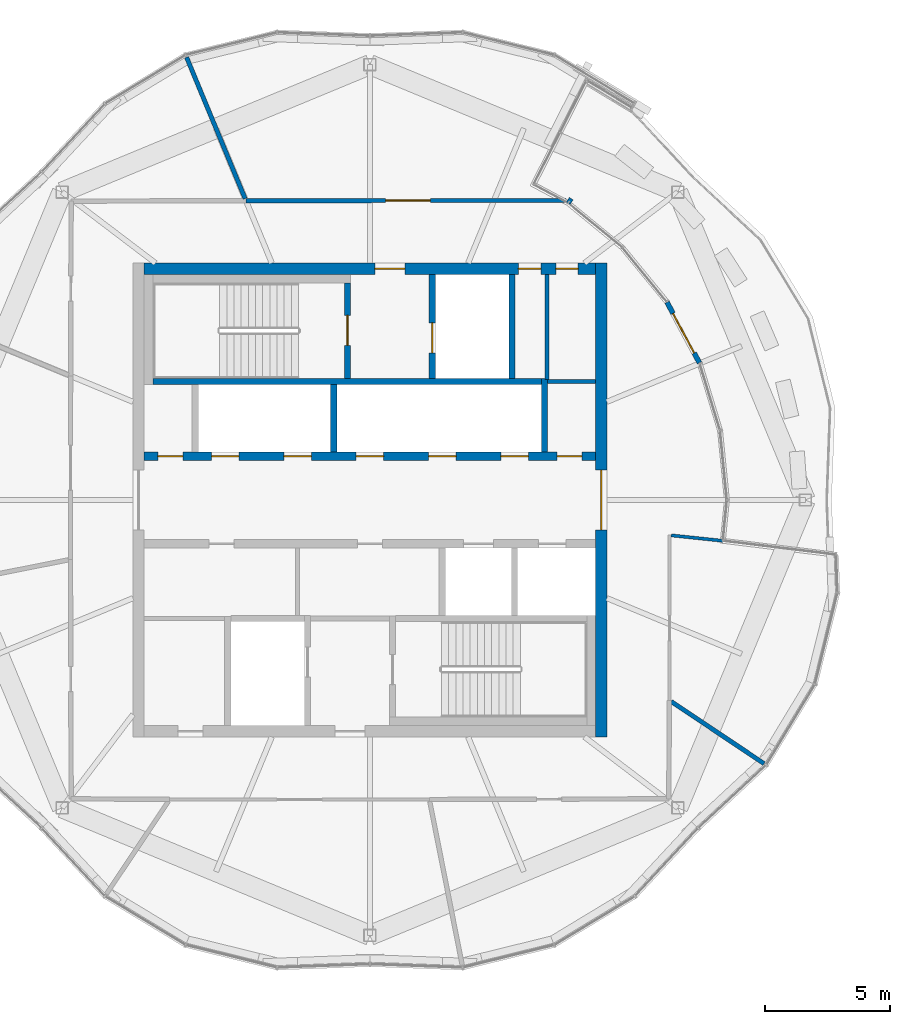
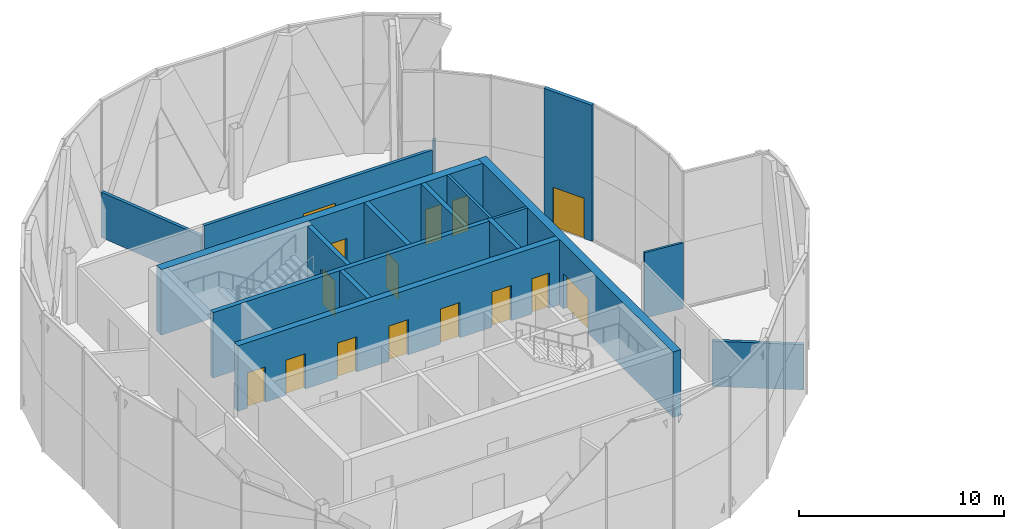
# One storey, part 17 of 24: 17 walls, 15 doors, 15 openings.
"""IFC4 building model written with IfcOpenShell, lengths in metres."""

from ifc_helpers import new_model, si_unit, direction, frame, frame_2d, origin, place, context, subcontext, project, spatial, rectangle, extrude, material, layer, layer_set, type_object, element, fill, save


model = new_model("IFC4")

# Units and contexts
model_context = context("Model", 3, precision=1e-05, world=origin(), true_north=direction((0.0, 1.0)))
body_context = subcontext(model_context, "Body", "Model", "MODEL_VIEW")
ifc_project = project(units=[si_unit("LENGTHUNIT", "METRE"), si_unit("AREAUNIT", "SQUARE_METRE"), si_unit("VOLUMEUNIT", "CUBIC_METRE"), si_unit("PLANEANGLEUNIT", "RADIAN"), si_unit("MASSUNIT", "GRAM", prefix="KILO")], contexts=[model_context])

# Site, building, storey
site_placement = place(None, origin())
site = spatial("IfcSite", under=ifc_project, at=site_placement, CompositionType="ELEMENT")
building_placement = place(site_placement, origin())
building = spatial("IfcBuilding", under=site, at=building_placement, Name="Ogive Gate Towers", CompositionType="ELEMENT")
storey_placement = place(building_placement, frame((0.0, 0.0, 277.199951171875)))
storey = spatial("IfcBuildingStorey", under=building, at=storey_placement, Name="L65", CompositionType="ELEMENT", Elevation=277.199951171875)

# Walls
ifc_material_1 = material(Name="Gypsum board acoustic partition")
ifc_layer_1 = layer(ifc_material_1, 0.175048828125)
ifc_layer_set_1 = layer_set([ifc_layer_1], Name="Acoustic partition 175")
wall_type_1 = type_object("IfcWallType", Name="Acoustic partition 175", PredefinedType="PARTITIONING", material=ifc_layer_set_1)
wall_1_placement = place(storey_placement, frame((-28.049560546875, 11.898681640625, 0.0), z_axis=(0.0, 0.0, 1.0), x_axis=(0.542178111101, 0.840263587122, 0.0)))
element("IfcWall", 1, at=wall_1_placement, inside=storey, type_object=wall_type_1, Name="Partition T1-L65-001", PredefinedType="PARTITIONING", context=body_context, shape_type="SweptSolid", body=[
    extrude(rectangle(XDim=0.217041015625, YDim=0.175048828125, at=frame_2d((0.1083984375, 0.0))), origin(), (0.0, 0.0, 1.0), 3.900146484375),
])
wall_2_placement = place(storey_placement, frame((-43.351318359375, 17.747802734375, 0.0), z_axis=(0.0, 0.0, 1.0), x_axis=(0.382683524544, -0.923879494329, 0.0)))
element("IfcWall", 2, at=wall_2_placement, inside=storey, type_object=wall_type_1, Name="Partition T1-L65-002", PredefinedType="PARTITIONING", context=body_context, shape_type="SweptSolid", body=[
    extrude(rectangle(XDim=6.131591796875, YDim=0.175048828125, at=frame_2d((3.06591796875, 0.0))), origin(), (0.0, 0.0, 1.0), 2.699951171875),
])
wall_3_placement = place(storey_placement, frame((-20.199462890625, -10.56884765625, 0.0), z_axis=(0.0, 0.0, 1.0), x_axis=(-0.831202788563, 0.555969355527, 0.0)))
element("IfcWall", 3, at=wall_3_placement, inside=storey, type_object=wall_type_1, Name="Partition T1-L65-007", PredefinedType="PARTITIONING", context=body_context, shape_type="SweptSolid", body=[
    extrude(rectangle(XDim=4.481201171875, YDim=0.175048828125, at=frame_2d((2.24072265625, 0.0))), origin(), (0.0, 0.0, 1.0), 2.699951171875),
])

# Wall, opening, door
wall_4_placement = place(storey_placement, frame((-40.971435546875, 12.002197265625, 0.0), z_axis=(0.0, 0.0, 1.0), x_axis=(0.999999886992, 0.000475411653, 0.0)))
wall_4 = element("IfcWall", 4, at=wall_4_placement, inside=storey, type_object=wall_type_1, Name="Partition T1-L65-018", PredefinedType="PARTITIONING", context=body_context, shape_type="SweptSolid", body=[
    extrude(rectangle(XDim=12.83837890625, YDim=0.175048828125, at=frame_2d((6.419189453125, 0.0))), origin(), (0.0, 0.0, 1.0), 3.35009765625),
])
opening_1_placement = place(wall_4_placement, frame((5.595947265625, 0.0, 0.0)))
opening_1 = element("IfcOpeningElement", 5, at=opening_1_placement, cuts=wall_4, Name="Opening T1-L65-D07", PredefinedType="OPENING", context=body_context, shape_type="SweptSolid", body=[
    extrude(rectangle(XDim=1.800048828125, YDim=2.10009765625, at=frame_2d((0.89990234375, 1.050048828125))), frame((0.0, 0.09765625, 0.0), z_axis=(0.0, -1.0, 0.0), x_axis=(1.0, 0.0, 0.0)), (0.0, 0.0, 1.0), 0.195068359375),
])
ifc_material_2 = material(Name="Timber door", Category="wood")
door_type_1 = type_object("IfcDoorType", Name="Door pair 1800", OperationType="NOTDEFINED", PredefinedType="DOOR", material=ifc_material_2)
door_1_placement = place(opening_1_placement, origin())
door_1 = element("IfcDoor", 6, at=door_1_placement, inside=storey, type_object=door_type_1, Name="Door T1-L65-D07", OperationType="DOUBLE_DOOR_DOUBLE_SWING", OverallHeight=2.10009765625, OverallWidth=1.800048828125, PredefinedType="DOOR", context=body_context, shape_type="SweptSolid", body=[
    extrude(rectangle(XDim=1.800048828125, YDim=2.10009765625, at=frame_2d((0.89990234375, 1.050048828125))), frame((0.0, 0.02490234375, 0.0), z_axis=(0.0, -1.0, 0.0), x_axis=(1.0, 0.0, 0.0)), (0.0, 0.0, 1.0), 0.050048828125),
])
fill(opening_1, door_1)

# Wall, openings, doors
ifc_material_3 = material(Name="Concrete C60/75", Category="concrete")
ifc_layer_2 = layer(ifc_material_3, 0.449951171875)
ifc_layer_set_2 = layer_set([ifc_layer_2], Name="Core wall 450 mm")
wall_type_2 = type_object("IfcWallType", Name="Core wall 450 mm", PredefinedType="SHEAR", material=ifc_layer_set_2)
wall_5_placement = place(storey_placement, frame((-45.050048828125, 9.27490234375, 0.0), z_axis=(0.0, 0.0, 1.0), x_axis=(1.0, 0.0, 0.0)))
wall_5 = element("IfcWall", 7, at=wall_5_placement, inside=storey, type_object=wall_type_2, Name="T1 L65 Core wall 450 mm", PredefinedType="SHEAR", context=body_context, shape_type="SweptSolid", body=[
    extrude(rectangle(XDim=18.10009765625, YDim=0.449951171875, at=frame_2d((9.050048828125, 0.0))), origin(), (0.0, 0.0, 1.0), 3.900146484375),
])
opening_2_placement = place(wall_5_placement, frame((9.25, 0.0, 0.0)))
opening_2 = element("IfcOpeningElement", 8, at=opening_2_placement, cuts=wall_5, Name="Opening KD-T1-L65-18", PredefinedType="OPENING", context=body_context, shape_type="SweptSolid", body=[
    extrude(rectangle(XDim=1.199951171875, YDim=2.10009765625, at=frame_2d((0.60009765625, 1.050048828125))), frame((0.0, 0.23486328125, 0.0), z_axis=(0.0, -1.0, 0.0), x_axis=(1.0, 0.0, 0.0)), (0.0, 0.0, 1.0), 0.469970703125),
])
opening_3_placement = place(wall_5_placement, frame((15.0, 0.0, 0.0)))
opening_3 = element("IfcOpeningElement", 9, at=opening_3_placement, cuts=wall_5, Name="Opening KD-T1-L65-20", PredefinedType="OPENING", context=body_context, shape_type="SweptSolid", body=[
    extrude(rectangle(XDim=0.89990234375, YDim=2.10009765625, at=frame_2d((0.449951171875, 1.050048828125))), frame((0.0, 0.23486328125, 0.0), z_axis=(0.0, -1.0, 0.0), x_axis=(1.0, 0.0, 0.0)), (0.0, 0.0, 1.0), 0.469970703125),
])
opening_4_placement = place(wall_5_placement, frame((16.5, 0.0, 0.0)))
opening_4 = element("IfcOpeningElement", 10, at=opening_4_placement, cuts=wall_5, Name="Opening KD-T1-L65-21", PredefinedType="OPENING", context=body_context, shape_type="SweptSolid", body=[
    extrude(rectangle(XDim=0.89990234375, YDim=2.10009765625, at=frame_2d((0.449951171875, 1.050048828125))), frame((0.0, 0.23486328125, 0.0), z_axis=(0.0, -1.0, 0.0), x_axis=(1.0, 0.0, 0.0)), (0.0, 0.0, 1.0), 0.469970703125),
])
door_type_2 = type_object("IfcDoorType", Name="Core WC door 900 x 2100", OperationType="NOTDEFINED", PredefinedType="DOOR", material=ifc_material_2)
door_2_placement = place(opening_3_placement, origin())
door_2 = element("IfcDoor", 11, at=door_2_placement, inside=storey, type_object=door_type_2, Name="T1 L65 Core door", OperationType="SINGLE_SWING_LEFT", OverallHeight=2.10009765625, OverallWidth=0.89990234375, PredefinedType="DOOR", context=body_context, shape_type="SweptSolid", body=[
    extrude(rectangle(XDim=0.89990234375, YDim=2.10009765625, at=frame_2d((0.449951171875, 1.050048828125))), frame((0.0, 0.02490234375, 0.0), z_axis=(0.0, -1.0, 0.0), x_axis=(1.0, 0.0, 0.0)), (0.0, 0.0, 1.0), 0.050048828125),
])
fill(opening_3, door_2)
door_3_placement = place(opening_4_placement, origin())
door_3 = element("IfcDoor", 12, at=door_3_placement, inside=storey, type_object=door_type_2, Name="T1 L65 Core door", OperationType="SINGLE_SWING_RIGHT", OverallHeight=2.10009765625, OverallWidth=0.89990234375, PredefinedType="DOOR", context=body_context, shape_type="SweptSolid", body=[
    extrude(rectangle(XDim=0.89990234375, YDim=2.10009765625, at=frame_2d((0.449951171875, 1.050048828125))), frame((0.0, 0.02490234375, 0.0), z_axis=(0.0, -1.0, 0.0), x_axis=(1.0, 0.0, 0.0)), (0.0, 0.0, 1.0), 0.050048828125),
])
fill(opening_4, door_3)
ifc_material_4 = material(Name="Steel fire door", Category="steel")
door_type_3 = type_object("IfcDoorType", Name="Core door FD60S 1200 x 2100", OperationType="NOTDEFINED", PredefinedType="DOOR", material=ifc_material_4)
door_4_placement = place(opening_2_placement, origin())
door_4 = element("IfcDoor", 13, at=door_4_placement, inside=storey, type_object=door_type_3, Name="T1 L65 Fire-fighting lobby door", OperationType="SINGLE_SWING_LEFT", OverallHeight=2.10009765625, OverallWidth=1.199951171875, PredefinedType="DOOR", context=body_context, shape_type="SweptSolid", body=[
    extrude(rectangle(XDim=1.199951171875, YDim=2.10009765625, at=frame_2d((0.60009765625, 1.050048828125))), frame((0.0, 0.02490234375, 0.0), z_axis=(0.0, -1.0, 0.0), x_axis=(1.0, 0.0, 0.0)), (0.0, 0.0, 1.0), 0.050048828125),
])
fill(opening_2, door_4)

# Wall, opening, door
wall_6_placement = place(storey_placement, frame((-26.72509765625, -9.5, 0.0), z_axis=(0.0, 0.0, 1.0), x_axis=(0.0, 1.0, 0.0)))
wall_6 = element("IfcWall", 14, at=wall_6_placement, inside=storey, type_object=wall_type_2, Name="T1 L65 Core wall 450 mm", PredefinedType="SHEAR", context=body_context, shape_type="SweptSolid", body=[
    extrude(rectangle(XDim=19.0, YDim=0.449951171875, at=frame_2d((9.5, 0.0))), origin(), (0.0, 0.0, 1.0), 3.900146484375),
])
opening_5_placement = place(wall_6_placement, frame((8.300048828125, 0.0, 0.0)))
opening_5 = element("IfcOpeningElement", 15, at=opening_5_placement, cuts=wall_6, Name="Opening KD-T1-L65-02", PredefinedType="OPENING", context=body_context, shape_type="SweptSolid", body=[
    extrude(rectangle(XDim=2.39990234375, YDim=2.10009765625, at=frame_2d((1.199951171875, 1.050048828125))), frame((0.0, 0.23486328125, 0.0), z_axis=(0.0, -1.0, 0.0), x_axis=(1.0, 0.0, 0.0)), (0.0, 0.0, 1.0), 0.469970703125),
])
door_type_4 = type_object("IfcDoorType", Name="Core double door FD60S 2400 x 2100", OperationType="DOUBLE_DOOR_SINGLE_SWING", PredefinedType="DOOR", material=ifc_material_4)
door_5_placement = place(opening_5_placement, origin())
door_5 = element("IfcDoor", 16, at=door_5_placement, inside=storey, type_object=door_type_4, Name="T1 L65 Core door double", OperationType="DOUBLE_DOOR_SINGLE_SWING", OverallHeight=2.10009765625, OverallWidth=2.39990234375, PredefinedType="DOOR", context=body_context, shape_type="SweptSolid", body=[
    extrude(rectangle(XDim=2.39990234375, YDim=2.10009765625, at=frame_2d((1.199951171875, 1.050048828125))), frame((0.0, 0.02490234375, 0.0), z_axis=(0.0, -1.0, 0.0), x_axis=(1.0, 0.0, 0.0)), (0.0, 0.0, 1.0), 0.050048828125),
])
fill(opening_5, door_5)

ifc_material_5 = material(Name="Pale metal aluminium", Category="aluminium")
ifc_layer_3 = layer(ifc_material_5, 0.199951171875)
ifc_layer_set_3 = layer_set([ifc_layer_3], Name="Garden infill wall")
wall_type_3 = type_object("IfcWallType", Name="Garden infill wall", PredefinedType="SOLIDWALL", material=ifc_layer_set_3)
wall_7_placement = place(storey_placement, frame((-24.089599609375, 7.928466796875, 0.0), z_axis=(0.0, 0.0, 1.0), x_axis=(0.471429548255, -0.881903725489, 0.0)))
wall_7 = element("IfcWall", 17, at=wall_7_placement, inside=storey, type_object=wall_type_3, Name="Garden infill wall", PredefinedType="SOLIDWALL", context=body_context, shape_type="SweptSolid", body=[
    extrude(rectangle(XDim=2.755615234375, YDim=0.199951171875, at=frame_2d((1.3779296875, 0.0))), origin(), (0.0, 0.0, 1.0), 8.10009765625),
])
opening_6_placement = place(wall_7_placement, frame((0.5087890625, 0.0, 0.0)))
opening_6 = element("IfcOpeningElement", 18, at=opening_6_placement, cuts=wall_7, Name="Opening ED1-L65-01", PredefinedType="OPENING", context=body_context, shape_type="SweptSolid", body=[
    extrude(rectangle(XDim=1.800048828125, YDim=2.39990234375, at=frame_2d((0.89990234375, 1.199951171875))), frame((0.0, 0.10986328125, 0.0), z_axis=(0.0, -1.0, 0.0), x_axis=(1.0, 0.0, 0.0)), (0.0, 0.0, 1.0), 0.219970703125),
])
door_type_5 = type_object("IfcDoorType", Name="Garden door 1800 x 2400", OperationType="DOUBLE_DOOR_SINGLE_SWING", PredefinedType="DOOR", material=ifc_material_5)
door_6_placement = place(opening_6_placement, origin())
door_6 = element("IfcDoor", 19, at=door_6_placement, inside=storey, type_object=door_type_5, Name="Garden door", OperationType="SINGLE_SWING_LEFT", OverallHeight=2.39990234375, OverallWidth=1.800048828125, PredefinedType="DOOR", context=body_context, shape_type="SweptSolid", body=[
    extrude(rectangle(XDim=1.800048828125, YDim=2.39990234375, at=frame_2d((0.89990234375, 1.199951171875))), frame((0.0, 0.02490234375, 0.0), z_axis=(0.0, -1.0, 0.0), x_axis=(1.0, 0.0, 0.0)), (0.0, 0.0, 1.0), 0.050048828125),
])
fill(opening_6, door_6)

# Walls
ifc_material_6 = material(Name="Gypsum board partition")
ifc_layer_4 = layer(ifc_material_6, 0.125)
ifc_layer_set_4 = layer_set([ifc_layer_4], Name="Partition 125")
wall_type_4 = type_object("IfcWallType", Name="Partition 125", PredefinedType="PARTITIONING", material=ifc_layer_set_4)
wall_8_placement = place(storey_placement, frame((-21.8505859375, -1.63671875, 0.0), z_axis=(0.0, 0.0, 1.0), x_axis=(-0.994472011286, 0.105001994121, 0.0)))
element("IfcWall", 20, at=wall_8_placement, inside=storey, type_object=wall_type_4, Name="Partition T1-L65-008", PredefinedType="PARTITIONING", context=body_context, shape_type="SweptSolid", body=[
    extrude(rectangle(XDim=2.083251953125, YDim=0.125, at=frame_2d((1.04150390625, 0.0))), origin(), (0.0, 0.0, 1.0), 3.900146484375),
])
ifc_layer_5 = layer(ifc_material_6, 0.14990234375)
ifc_layer_set_5 = layer_set([ifc_layer_5], Name="Room partition 150 mm")
wall_type_5 = type_object("IfcWallType", Name="Room partition 150 mm", PredefinedType="PARTITIONING", material=ifc_layer_set_5)
wall_9_placement = place(storey_placement, frame((-28.875, 4.75, 0.0), z_axis=(0.0, 0.0, 1.0), x_axis=(1.0, 0.0, 0.0)))
element("IfcWall", 21, at=wall_9_placement, inside=storey, type_object=wall_type_5, Name="T1 L65 Room partition 150 mm", PredefinedType="PARTITIONING", context=body_context, shape_type="SweptSolid", body=[
    extrude(rectangle(XDim=1.925048828125, YDim=0.14990234375, at=frame_2d((0.96240234375, 0.0))), origin(), (0.0, 0.0, 1.0), 3.900146484375),
])
wall_10_placement = place(storey_placement, frame((-28.89990234375, 4.824951171875, 0.0), z_axis=(0.0, 0.0, 1.0), x_axis=(0.0, 1.0, 0.0)))
element("IfcWall", 22, at=wall_10_placement, inside=storey, type_object=wall_type_5, Name="T1 L65 Room partition 150 mm", PredefinedType="PARTITIONING", context=body_context, shape_type="SweptSolid", body=[
    extrude(rectangle(XDim=4.22509765625, YDim=0.14990234375, at=frame_2d((2.112548828125, 0.0))), origin(), (0.0, 0.0, 1.0), 3.900146484375),
])
ifc_layer_6 = layer(ifc_material_3, 0.25)
ifc_layer_set_6 = layer_set([ifc_layer_6], Name="Shaft wall 250 mm")
wall_type_6 = type_object("IfcWallType", Name="Shaft wall 250 mm", PredefinedType="SHEAR", material=ifc_layer_set_6)
wall_11_placement = place(storey_placement, frame((-44.699951171875, 4.75, 0.0), z_axis=(0.0, 0.0, 1.0), x_axis=(1.0, 0.0, 0.0)))
element("IfcWall", 23, at=wall_11_placement, inside=storey, type_object=wall_type_6, Name="T1 L65 Shaft wall 250 mm", PredefinedType="SHEAR", context=body_context, shape_type="SweptSolid", body=[
    extrude(rectangle(XDim=15.574951171875, YDim=0.25, at=frame_2d((7.78759765625, 0.0))), origin(), (0.0, 0.0, 1.0), 3.900146484375),
])
wall_12_placement = place(storey_placement, frame((-37.449951171875, 1.925048828125, 0.0), z_axis=(0.0, 0.0, 1.0), x_axis=(0.0, 1.0, 0.0)))
element("IfcWall", 24, at=wall_12_placement, inside=storey, type_object=wall_type_6, Name="T1 L65 Shaft wall 250 mm", PredefinedType="SHEAR", context=body_context, shape_type="SweptSolid", body=[
    extrude(rectangle(XDim=2.699951171875, YDim=0.25, at=frame_2d((1.35009765625, 0.0))), origin(), (0.0, 0.0, 1.0), 3.900146484375),
])

# Wall, opening, door
wall_13_placement = place(storey_placement, frame((-36.89990234375, 4.875, 0.0), z_axis=(0.0, 0.0, 1.0), x_axis=(0.0, 1.0, 0.0)))
wall_13 = element("IfcWall", 25, at=wall_13_placement, inside=storey, type_object=wall_type_6, Name="T1 L65 Shaft wall 250 mm", PredefinedType="SHEAR", context=body_context, shape_type="SweptSolid", body=[
    extrude(rectangle(XDim=3.824951171875, YDim=0.25, at=frame_2d((1.91259765625, 0.0))), origin(), (0.0, 0.0, 1.0), 3.900146484375),
])
opening_7_placement = place(wall_13_placement, frame((1.324951171875, 0.0, 0.0)))
opening_7 = element("IfcOpeningElement", 26, at=opening_7_placement, cuts=wall_13, Name="Opening KD-T1-L65-16", PredefinedType="OPENING", context=body_context, shape_type="SweptSolid", body=[
    extrude(rectangle(XDim=1.199951171875, YDim=2.10009765625, at=frame_2d((0.60009765625, 1.050048828125))), frame((0.0, 0.135009765625, 0.0), z_axis=(0.0, -1.0, 0.0), x_axis=(1.0, 0.0, 0.0)), (0.0, 0.0, 1.0), 0.27001953125),
])
door_7_placement = place(opening_7_placement, origin())
door_7 = element("IfcDoor", 27, at=door_7_placement, inside=storey, type_object=door_type_3, Name="T1 L65 Stair door", OperationType="SINGLE_SWING_LEFT", OverallHeight=2.10009765625, OverallWidth=1.199951171875, PredefinedType="DOOR", context=body_context, shape_type="SweptSolid", body=[
    extrude(rectangle(XDim=1.199951171875, YDim=2.10009765625, at=frame_2d((0.60009765625, 1.050048828125))), frame((0.0, 0.02490234375, 0.0), z_axis=(0.0, -1.0, 0.0), x_axis=(1.0, 0.0, 0.0)), (0.0, 0.0, 1.0), 0.050048828125),
])
fill(opening_7, door_7)

wall_14_placement = place(storey_placement, frame((-33.5, 4.875, 0.0), z_axis=(0.0, 0.0, 1.0), x_axis=(0.0, 1.0, 0.0)))
wall_14 = element("IfcWall", 28, at=wall_14_placement, inside=storey, type_object=wall_type_6, Name="T1 L65 Shaft wall 250 mm", PredefinedType="SHEAR", context=body_context, shape_type="SweptSolid", body=[
    extrude(rectangle(XDim=4.175048828125, YDim=0.25, at=frame_2d((2.08740234375, 0.0))), origin(), (0.0, 0.0, 1.0), 3.900146484375),
])
opening_8_placement = place(wall_14_placement, frame((1.02490234375, 0.0, 0.0)))
opening_8 = element("IfcOpeningElement", 29, at=opening_8_placement, cuts=wall_14, Name="Opening LD-T1-L65-12", PredefinedType="OPENING", context=body_context, shape_type="SweptSolid", body=[
    extrude(rectangle(XDim=1.199951171875, YDim=2.10009765625, at=frame_2d((0.60009765625, 1.050048828125))), frame((0.0, 0.135009765625, 0.0), z_axis=(0.0, -1.0, 0.0), x_axis=(1.0, 0.0, 0.0)), (0.0, 0.0, 1.0), 0.27001953125),
])
ifc_material_7 = material(Name="Stainless steel landing door", Category="steel")
door_type_6 = type_object("IfcDoorType", Name="Landing door 1200 x 2100", OperationType="SLIDING_TO_LEFT", PredefinedType="DOOR", material=ifc_material_7)
door_8_placement = place(opening_8_placement, origin())
door_8 = element("IfcDoor", 30, at=door_8_placement, inside=storey, type_object=door_type_6, Name="T1 L65 Lift landing door FF1", OperationType="SLIDING_TO_LEFT", OverallHeight=2.10009765625, OverallWidth=1.199951171875, PredefinedType="DOOR", context=body_context, shape_type="SweptSolid", body=[
    extrude(rectangle(XDim=1.199951171875, YDim=2.10009765625, at=frame_2d((0.60009765625, 1.050048828125))), frame((0.0, 0.02490234375, 0.0), z_axis=(0.0, -1.0, 0.0), x_axis=(1.0, 0.0, 0.0)), (0.0, 0.0, 1.0), 0.050048828125),
])
fill(opening_8, door_8)

# Walls
wall_15_placement = place(storey_placement, frame((-30.300048828125, 4.875, 0.0), z_axis=(0.0, 0.0, 1.0), x_axis=(0.0, 1.0, 0.0)))
element("IfcWall", 31, at=wall_15_placement, inside=storey, type_object=wall_type_6, Name="T1 L65 Shaft wall 250 mm", PredefinedType="SHEAR", context=body_context, shape_type="SweptSolid", body=[
    extrude(rectangle(XDim=4.175048828125, YDim=0.25, at=frame_2d((2.08740234375, 0.0))), origin(), (0.0, 0.0, 1.0), 3.900146484375),
])
wall_16_placement = place(storey_placement, frame((-29.0, 1.925048828125, 0.0), z_axis=(0.0, 0.0, 1.0), x_axis=(0.0, 1.0, 0.0)))
element("IfcWall", 32, at=wall_16_placement, inside=storey, type_object=wall_type_6, Name="T1 L65 Shaft wall 250 mm", PredefinedType="SHEAR", context=body_context, shape_type="SweptSolid", body=[
    extrude(rectangle(XDim=2.949951171875, YDim=0.25, at=frame_2d((1.47509765625, 0.0))), origin(), (0.0, 0.0, 1.0), 3.900146484375),
])

# Wall, openings, doors
ifc_layer_7 = layer(ifc_material_3, 0.35009765625)
ifc_layer_set_7 = layer_set([ifc_layer_7], Name="Spine wall 350 mm")
wall_type_7 = type_object("IfcWallType", Name="Spine wall 350 mm", PredefinedType="SHEAR", material=ifc_layer_set_7)
wall_17_placement = place(storey_placement, frame((-45.050048828125, 1.75, 0.0), z_axis=(0.0, 0.0, 1.0), x_axis=(1.0, 0.0, 0.0)))
wall_17 = element("IfcWall", 33, at=wall_17_placement, inside=storey, type_object=wall_type_7, Name="T1 L65 Spine wall 350 mm", PredefinedType="SHEAR", context=body_context, shape_type="SweptSolid", body=[
    extrude(rectangle(XDim=18.10009765625, YDim=0.35009765625, at=frame_2d((9.050048828125, 0.0))), origin(), (0.0, 0.0, 1.0), 3.900146484375),
])
opening_9_placement = place(wall_17_placement, frame((0.550048828125, 0.0, 0.0)))
opening_9 = element("IfcOpeningElement", 34, at=opening_9_placement, cuts=wall_17, Name="Opening KD-T1-L65-03", PredefinedType="OPENING", context=body_context, shape_type="SweptSolid", body=[
    extrude(rectangle(XDim=1.0, YDim=2.10009765625, at=frame_2d((0.5, 1.050048828125))), frame((0.0, 0.18505859375, 0.0), z_axis=(0.0, -1.0, 0.0), x_axis=(1.0, 0.0, 0.0)), (0.0, 0.0, 1.0), 0.3701171875),
])
opening_10_placement = place(wall_17_placement, frame((2.699951171875, 0.0, 0.0)))
opening_10 = element("IfcOpeningElement", 35, at=opening_10_placement, cuts=wall_17, Name="Opening LD-T1-L65-04", PredefinedType="OPENING", context=body_context, shape_type="SweptSolid", body=[
    extrude(rectangle(XDim=1.10009765625, YDim=2.10009765625, at=frame_2d((0.550048828125, 1.050048828125))), frame((0.0, 0.18505859375, 0.0), z_axis=(0.0, -1.0, 0.0), x_axis=(1.0, 0.0, 0.0)), (0.0, 0.0, 1.0), 0.3701171875),
])
opening_11_placement = place(wall_17_placement, frame((5.60009765625, 0.0, 0.0)))
opening_11 = element("IfcOpeningElement", 36, at=opening_11_placement, cuts=wall_17, Name="Opening LD-T1-L65-05", PredefinedType="OPENING", context=body_context, shape_type="SweptSolid", body=[
    extrude(rectangle(XDim=1.10009765625, YDim=2.10009765625, at=frame_2d((0.550048828125, 1.050048828125))), frame((0.0, 0.18505859375, 0.0), z_axis=(0.0, -1.0, 0.0), x_axis=(1.0, 0.0, 0.0)), (0.0, 0.0, 1.0), 0.3701171875),
])
opening_12_placement = place(wall_17_placement, frame((8.5, 0.0, 0.0)))
opening_12 = element("IfcOpeningElement", 37, at=opening_12_placement, cuts=wall_17, Name="Opening LD-T1-L65-06", PredefinedType="OPENING", context=body_context, shape_type="SweptSolid", body=[
    extrude(rectangle(XDim=1.10009765625, YDim=2.10009765625, at=frame_2d((0.550048828125, 1.050048828125))), frame((0.0, 0.18505859375, 0.0), z_axis=(0.0, -1.0, 0.0), x_axis=(1.0, 0.0, 0.0)), (0.0, 0.0, 1.0), 0.3701171875),
])
opening_13_placement = place(wall_17_placement, frame((11.39990234375, 0.0, 0.0)))
opening_13 = element("IfcOpeningElement", 38, at=opening_13_placement, cuts=wall_17, Name="Opening LD-T1-L65-07", PredefinedType="OPENING", context=body_context, shape_type="SweptSolid", body=[
    extrude(rectangle(XDim=1.10009765625, YDim=2.10009765625, at=frame_2d((0.550048828125, 1.050048828125))), frame((0.0, 0.18505859375, 0.0), z_axis=(0.0, -1.0, 0.0), x_axis=(1.0, 0.0, 0.0)), (0.0, 0.0, 1.0), 0.3701171875),
])
opening_14_placement = place(wall_17_placement, frame((14.300048828125, 0.0, 0.0)))
opening_14 = element("IfcOpeningElement", 39, at=opening_14_placement, cuts=wall_17, Name="Opening LD-T1-L65-08", PredefinedType="OPENING", context=body_context, shape_type="SweptSolid", body=[
    extrude(rectangle(XDim=1.10009765625, YDim=2.10009765625, at=frame_2d((0.550048828125, 1.050048828125))), frame((0.0, 0.18505859375, 0.0), z_axis=(0.0, -1.0, 0.0), x_axis=(1.0, 0.0, 0.0)), (0.0, 0.0, 1.0), 0.3701171875),
])
opening_15_placement = place(wall_17_placement, frame((16.550048828125, 0.0, 0.0)))
opening_15 = element("IfcOpeningElement", 40, at=opening_15_placement, cuts=wall_17, Name="Opening KD-T1-L65-09", PredefinedType="OPENING", context=body_context, shape_type="SweptSolid", body=[
    extrude(rectangle(XDim=1.0, YDim=2.10009765625, at=frame_2d((0.5, 1.050048828125))), frame((0.0, 0.18505859375, 0.0), z_axis=(0.0, -1.0, 0.0), x_axis=(1.0, 0.0, 0.0)), (0.0, 0.0, 1.0), 0.3701171875),
])
door_type_7 = type_object("IfcDoorType", Name="Core door FD60S 1000 x 2100", OperationType="NOTDEFINED", PredefinedType="DOOR", material=ifc_material_4)
door_9_placement = place(opening_9_placement, origin())
door_9 = element("IfcDoor", 41, at=door_9_placement, inside=storey, type_object=door_type_7, Name="T1 L65 Core door", OperationType="SINGLE_SWING_RIGHT", OverallHeight=2.10009765625, OverallWidth=1.0, PredefinedType="DOOR", context=body_context, shape_type="SweptSolid", body=[
    extrude(rectangle(XDim=1.0, YDim=2.10009765625, at=frame_2d((0.5, 1.050048828125))), frame((0.0, 0.02490234375, 0.0), z_axis=(0.0, -1.0, 0.0), x_axis=(1.0, 0.0, 0.0)), (0.0, 0.0, 1.0), 0.050048828125),
])
fill(opening_9, door_9)
door_10_placement = place(opening_15_placement, origin())
door_10 = element("IfcDoor", 42, at=door_10_placement, inside=storey, type_object=door_type_7, Name="T1 L65 Core door", OperationType="SINGLE_SWING_RIGHT", OverallHeight=2.10009765625, OverallWidth=1.0, PredefinedType="DOOR", context=body_context, shape_type="SweptSolid", body=[
    extrude(rectangle(XDim=1.0, YDim=2.10009765625, at=frame_2d((0.5, 1.050048828125))), frame((0.0, 0.02490234375, 0.0), z_axis=(0.0, -1.0, 0.0), x_axis=(1.0, 0.0, 0.0)), (0.0, 0.0, 1.0), 0.050048828125),
])
fill(opening_15, door_10)
door_type_8 = type_object("IfcDoorType", Name="Landing door 1100 x 2100", OperationType="SLIDING_TO_LEFT", PredefinedType="DOOR", material=ifc_material_7)
door_11_placement = place(opening_10_placement, origin())
door_11 = element("IfcDoor", 43, at=door_11_placement, inside=storey, type_object=door_type_8, Name="T1 L65 Lift landing door B1", OperationType="SLIDING_TO_LEFT", OverallHeight=2.10009765625, OverallWidth=1.10009765625, PredefinedType="DOOR", context=body_context, shape_type="SweptSolid", body=[
    extrude(rectangle(XDim=1.10009765625, YDim=2.10009765625, at=frame_2d((0.550048828125, 1.050048828125))), frame((0.0, 0.02490234375, 0.0), z_axis=(0.0, -1.0, 0.0), x_axis=(1.0, 0.0, 0.0)), (0.0, 0.0, 1.0), 0.050048828125),
])
fill(opening_10, door_11)
door_12_placement = place(opening_11_placement, origin())
door_12 = element("IfcDoor", 44, at=door_12_placement, inside=storey, type_object=door_type_8, Name="T1 L65 Lift landing door B2", OperationType="SLIDING_TO_LEFT", OverallHeight=2.10009765625, OverallWidth=1.10009765625, PredefinedType="DOOR", context=body_context, shape_type="SweptSolid", body=[
    extrude(rectangle(XDim=1.10009765625, YDim=2.10009765625, at=frame_2d((0.550048828125, 1.050048828125))), frame((0.0, 0.02490234375, 0.0), z_axis=(0.0, -1.0, 0.0), x_axis=(1.0, 0.0, 0.0)), (0.0, 0.0, 1.0), 0.050048828125),
])
fill(opening_11, door_12)
door_13_placement = place(opening_12_placement, origin())
door_13 = element("IfcDoor", 45, at=door_13_placement, inside=storey, type_object=door_type_8, Name="T1 L65 Lift landing door B3", OperationType="SLIDING_TO_LEFT", OverallHeight=2.10009765625, OverallWidth=1.10009765625, PredefinedType="DOOR", context=body_context, shape_type="SweptSolid", body=[
    extrude(rectangle(XDim=1.10009765625, YDim=2.10009765625, at=frame_2d((0.550048828125, 1.050048828125))), frame((0.0, 0.02490234375, 0.0), z_axis=(0.0, -1.0, 0.0), x_axis=(1.0, 0.0, 0.0)), (0.0, 0.0, 1.0), 0.050048828125),
])
fill(opening_12, door_13)
door_14_placement = place(opening_13_placement, origin())
door_14 = element("IfcDoor", 46, at=door_14_placement, inside=storey, type_object=door_type_8, Name="T1 L65 Lift landing door B4", OperationType="SLIDING_TO_LEFT", OverallHeight=2.10009765625, OverallWidth=1.10009765625, PredefinedType="DOOR", context=body_context, shape_type="SweptSolid", body=[
    extrude(rectangle(XDim=1.10009765625, YDim=2.10009765625, at=frame_2d((0.550048828125, 1.050048828125))), frame((0.0, 0.02490234375, 0.0), z_axis=(0.0, -1.0, 0.0), x_axis=(1.0, 0.0, 0.0)), (0.0, 0.0, 1.0), 0.050048828125),
])
fill(opening_13, door_14)
door_15_placement = place(opening_14_placement, origin())
door_15 = element("IfcDoor", 47, at=door_15_placement, inside=storey, type_object=door_type_8, Name="T1 L65 Lift landing door B5", OperationType="SLIDING_TO_LEFT", OverallHeight=2.10009765625, OverallWidth=1.10009765625, PredefinedType="DOOR", context=body_context, shape_type="SweptSolid", body=[
    extrude(rectangle(XDim=1.10009765625, YDim=2.10009765625, at=frame_2d((0.550048828125, 1.050048828125))), frame((0.0, 0.02490234375, 0.0), z_axis=(0.0, -1.0, 0.0), x_axis=(1.0, 0.0, 0.0)), (0.0, 0.0, 1.0), 0.050048828125),
])
fill(opening_14, door_15)

save(model, "model.ifc")
